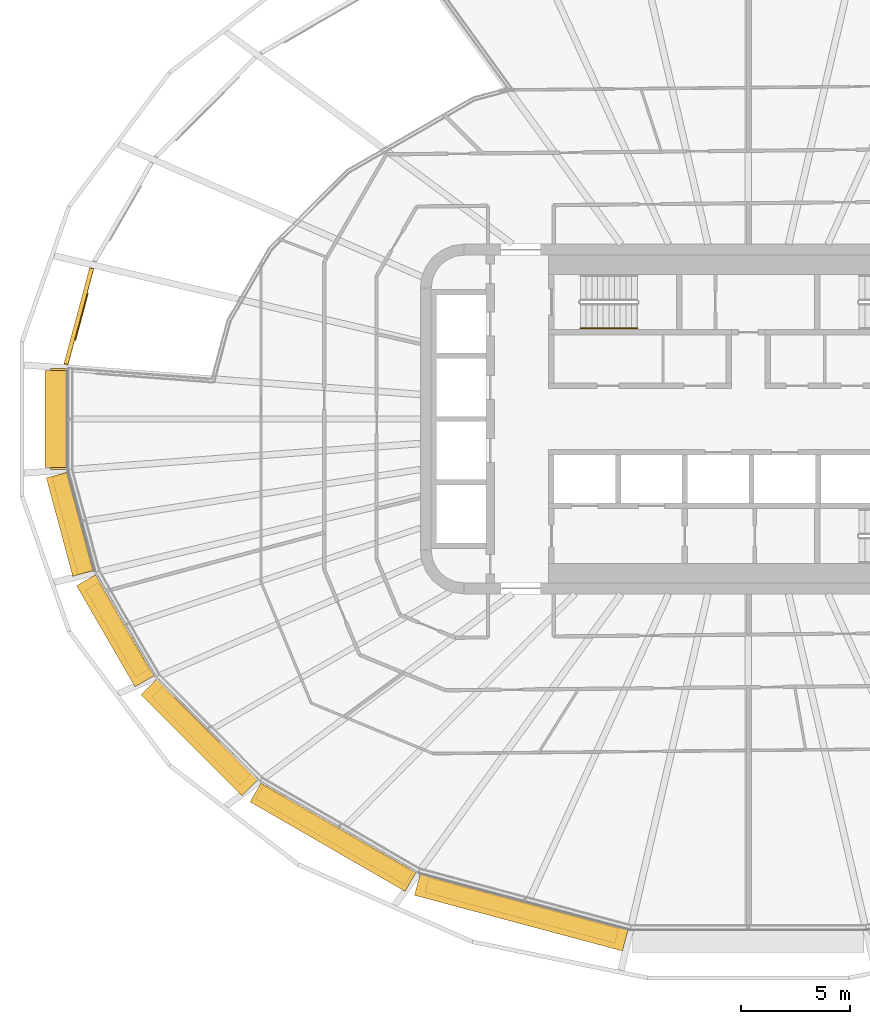
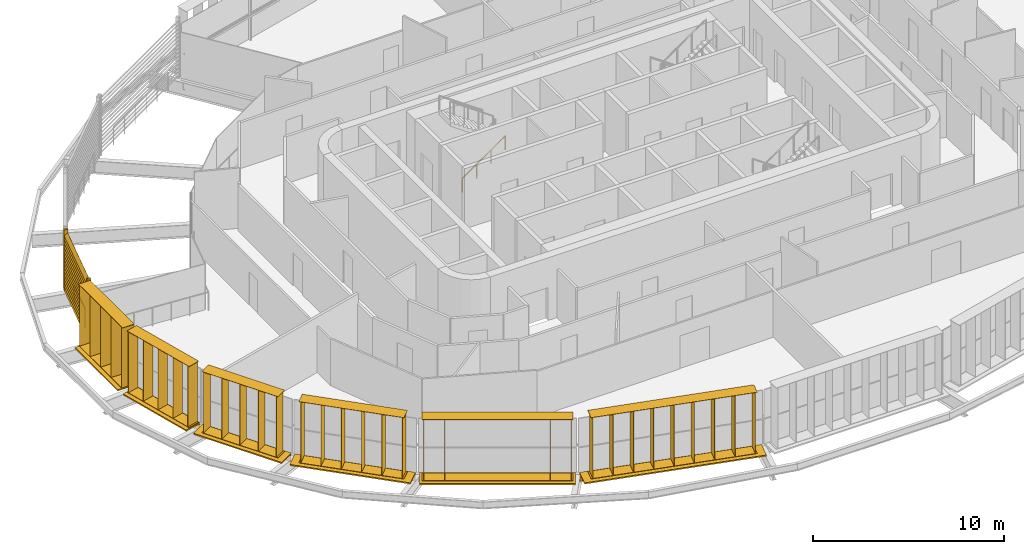
# One storey, part 18 of 23: 13 shading devices, 2 railings.
"""IFC4 building model written with IfcOpenShell, lengths in metres."""

from ifc_helpers import new_model, si_unit, direction, frame, origin, origin_2d, place, context, subcontext, project, spatial, rectangle, circle, extrude, material, type_object, element, save


model = new_model("IFC4")

# Units and contexts
model_context = context("Model", 3, precision=1e-05, world=origin(), true_north=direction((0.0, 1.0)))
body_context = subcontext(model_context, "Body", "Model", "MODEL_VIEW")
ifc_project = project(units=[si_unit("LENGTHUNIT", "METRE"), si_unit("AREAUNIT", "SQUARE_METRE"), si_unit("VOLUMEUNIT", "CUBIC_METRE"), si_unit("PLANEANGLEUNIT", "RADIAN"), si_unit("MASSUNIT", "GRAM", prefix="KILO")], contexts=[model_context])

# Site, building, storey
site_placement = place(None, origin())
site = spatial("IfcSite", under=ifc_project, at=site_placement, CompositionType="ELEMENT")
building_placement = place(site_placement, origin())
building = spatial("IfcBuilding", under=site, at=building_placement, Name="Sahrelin Media Tower", CompositionType="ELEMENT")
storey_placement = place(building_placement, frame((0.0, 0.0, 173.60009765625)))
storey = spatial("IfcBuildingStorey", under=building, at=storey_placement, Name="L36", CompositionType="ELEMENT", Elevation=173.60009765625)

# Shading devices
ifc_material_1 = material(Name="Champagne anodised aluminium 6063-T6", Category="aluminium")
shading_device_type_1 = type_object("IfcShadingDeviceType", Name="Fin cassette", PredefinedType="USERDEFINED", material=ifc_material_1)
placement_1 = place(storey_placement, frame((-31.14892578125, 0.0, 0.0), z_axis=(0.0, 0.0, 1.0), x_axis=(0.0, 1.0, 0.0)))
element("IfcShadingDevice", 1, at=placement_1, inside=storey, type_object=shading_device_type_1, Name="L36:FIN:L36-12", ObjectType="FIN", PredefinedType="USERDEFINED", context=body_context, shape_type="SweptSolid", body=[
    extrude(rectangle(XDim=4.60009765625, YDim=0.699951171875, at=origin_2d()), frame((0.0, 0.419921875, 0.0)), (0.0, 0.0, 1.0), 0.02001953125),
    extrude(rectangle(XDim=4.60009765625, YDim=0.699951171875, at=origin_2d()), frame((0.0, 0.419921875, 3.89990234375)), (0.0, 0.0, 1.0), 0.02001953125),
    extrude(rectangle(XDim=0.02001953125, YDim=0.699951171875, at=origin_2d()), frame((-2.199951171875, 0.419921875, 0.010009765625), z_axis=(0.0, 0.0, 1.0), x_axis=(1.0, 0.0, 0.0)), (0.0, 0.0, 1.0), 3.89990234375),
    extrude(rectangle(XDim=0.02001953125, YDim=0.699951171875, at=origin_2d()), frame((-1.10009765625, 0.419921875, 0.010009765625), z_axis=(0.0, 0.0, 1.0), x_axis=(1.0, 0.0, 0.0)), (0.0, 0.0, 1.0), 3.89990234375),
    extrude(rectangle(XDim=0.02001953125, YDim=0.699951171875, at=origin_2d()), frame((0.0, 0.419921875, 0.010009765625), z_axis=(0.0, 0.0, 1.0), x_axis=(1.0, 0.0, 0.0)), (0.0, 0.0, 1.0), 3.89990234375),
    extrude(rectangle(XDim=0.02001953125, YDim=0.699951171875, at=origin_2d()), frame((1.10009765625, 0.419921875, 0.010009765625), z_axis=(0.0, 0.0, 1.0), x_axis=(1.0, 0.0, 0.0)), (0.0, 0.0, 1.0), 3.89990234375),
    extrude(rectangle(XDim=0.02001953125, YDim=0.699951171875, at=origin_2d()), frame((2.199951171875, 0.419921875, 0.010009765625), z_axis=(0.0, 0.0, 1.0), x_axis=(1.0, 0.0, 0.0)), (0.0, 0.0, 1.0), 3.89990234375),
])
placement_2 = place(storey_placement, frame((-30.51904296875, -4.677978515625, 0.0), z_axis=(0.0, 0.0, 1.0), x_axis=(-0.258807731996, 0.965928857556, 0.0)))
element("IfcShadingDevice", 2, at=placement_2, inside=storey, type_object=shading_device_type_1, Name="L36:FIN:L36-13", ObjectType="FIN", PredefinedType="USERDEFINED", context=body_context, shape_type="SweptSolid", body=[
    extrude(rectangle(XDim=4.60009765625, YDim=0.699951171875, at=origin_2d()), frame((0.0, 0.419921875, 0.0)), (0.0, 0.0, 1.0), 0.02001953125),
    extrude(rectangle(XDim=4.60009765625, YDim=0.699951171875, at=origin_2d()), frame((0.0, 0.419921875, 3.89990234375)), (0.0, 0.0, 1.0), 0.02001953125),
    extrude(rectangle(XDim=0.02001953125, YDim=0.699951171875, at=origin_2d()), frame((-2.199951171875, 0.419921875, 0.010009765625), z_axis=(0.0, 0.0, 1.0), x_axis=(1.0, 0.0, 0.0)), (0.0, 0.0, 1.0), 3.89990234375),
    extrude(rectangle(XDim=0.02001953125, YDim=0.699951171875, at=origin_2d()), frame((-1.10009765625, 0.419921875, 0.010009765625), z_axis=(0.0, 0.0, 1.0), x_axis=(1.0, 0.0, 0.0)), (0.0, 0.0, 1.0), 3.89990234375),
    extrude(rectangle(XDim=0.02001953125, YDim=0.699951171875, at=origin_2d()), frame((0.0, 0.419921875, 0.010009765625), z_axis=(0.0, 0.0, 1.0), x_axis=(1.0, 0.0, 0.0)), (0.0, 0.0, 1.0), 3.89990234375),
    extrude(rectangle(XDim=0.02001953125, YDim=0.699951171875, at=origin_2d()), frame((1.10009765625, 0.419921875, 0.010009765625), z_axis=(0.0, 0.0, 1.0), x_axis=(1.0, 0.0, 0.0)), (0.0, 0.0, 1.0), 3.89990234375),
    extrude(rectangle(XDim=0.02001953125, YDim=0.699951171875, at=origin_2d()), frame((2.199951171875, 0.419921875, 0.010009765625), z_axis=(0.0, 0.0, 1.0), x_axis=(1.0, 0.0, 0.0)), (0.0, 0.0, 1.0), 3.89990234375),
])
placement_3 = place(storey_placement, frame((-28.50439453125, -9.427001953125, 0.0), z_axis=(0.0, 0.0, 1.0), x_axis=(-0.500011000363, 0.866019052629, 0.0)))
element("IfcShadingDevice", 3, at=placement_3, inside=storey, type_object=shading_device_type_1, Name="L36:FIN:L36-14", ObjectType="FIN", PredefinedType="USERDEFINED", context=body_context, shape_type="SweptSolid", body=[
    extrude(rectangle(XDim=4.60009765625, YDim=0.699951171875, at=origin_2d()), frame((0.0, 0.419921875, 0.0)), (0.0, 0.0, 1.0), 0.02001953125),
    extrude(rectangle(XDim=4.60009765625, YDim=0.699951171875, at=origin_2d()), frame((0.0, 0.419921875, 3.89990234375)), (0.0, 0.0, 1.0), 0.02001953125),
    extrude(rectangle(XDim=0.02001953125, YDim=0.699951171875, at=origin_2d()), frame((-2.199951171875, 0.419921875, 0.010009765625), z_axis=(0.0, 0.0, 1.0), x_axis=(1.0, 0.0, 0.0)), (0.0, 0.0, 1.0), 3.89990234375),
    extrude(rectangle(XDim=0.02001953125, YDim=0.699951171875, at=origin_2d()), frame((-1.10009765625, 0.419921875, 0.010009765625), z_axis=(0.0, 0.0, 1.0), x_axis=(1.0, 0.0, 0.0)), (0.0, 0.0, 1.0), 3.89990234375),
    extrude(rectangle(XDim=0.02001953125, YDim=0.699951171875, at=origin_2d()), frame((0.0, 0.419921875, 0.010009765625), z_axis=(0.0, 0.0, 1.0), x_axis=(1.0, 0.0, 0.0)), (0.0, 0.0, 1.0), 3.89990234375),
    extrude(rectangle(XDim=0.02001953125, YDim=0.699951171875, at=origin_2d()), frame((1.10009765625, 0.419921875, 0.010009765625), z_axis=(0.0, 0.0, 1.0), x_axis=(1.0, 0.0, 0.0)), (0.0, 0.0, 1.0), 3.89990234375),
    extrude(rectangle(XDim=0.02001953125, YDim=0.699951171875, at=origin_2d()), frame((2.199951171875, 0.419921875, 0.010009765625), z_axis=(0.0, 0.0, 1.0), x_axis=(1.0, 0.0, 0.0)), (0.0, 0.0, 1.0), 3.89990234375),
])
placement_4 = place(storey_placement, frame((-24.740966796875, -14.2041015625, 0.0), z_axis=(0.0, 0.0, 1.0), x_axis=(-0.707106781187, 0.707106781187, 0.0)))
element("IfcShadingDevice", 4, at=placement_4, inside=storey, type_object=shading_device_type_1, Name="L36:FIN:L36-15", ObjectType="FIN", PredefinedType="USERDEFINED", context=body_context, shape_type="SweptSolid", body=[
    extrude(rectangle(XDim=5.699951171875, YDim=0.699951171875, at=origin_2d()), frame((0.0, 0.419921875, 0.0)), (0.0, 0.0, 1.0), 0.02001953125),
    extrude(rectangle(XDim=5.699951171875, YDim=0.699951171875, at=origin_2d()), frame((0.0, 0.419921875, 3.89990234375)), (0.0, 0.0, 1.0), 0.02001953125),
    extrude(rectangle(XDim=0.02001953125, YDim=0.699951171875, at=origin_2d()), frame((-2.75, 0.419921875, 0.010009765625), z_axis=(0.0, 0.0, 1.0), x_axis=(1.0, 0.0, 0.0)), (0.0, 0.0, 1.0), 3.89990234375),
    extrude(rectangle(XDim=0.02001953125, YDim=0.699951171875, at=origin_2d()), frame((-1.64990234375, 0.419921875, 0.010009765625), z_axis=(0.0, 0.0, 1.0), x_axis=(1.0, 0.0, 0.0)), (0.0, 0.0, 1.0), 3.89990234375),
    extrude(rectangle(XDim=0.02001953125, YDim=0.699951171875, at=origin_2d()), frame((-0.550048828125, 0.419921875, 0.010009765625), z_axis=(0.0, 0.0, 1.0), x_axis=(1.0, 0.0, 0.0)), (0.0, 0.0, 1.0), 3.89990234375),
    extrude(rectangle(XDim=0.02001953125, YDim=0.699951171875, at=origin_2d()), frame((0.550048828125, 0.419921875, 0.010009765625), z_axis=(0.0, 0.0, 1.0), x_axis=(1.0, 0.0, 0.0)), (0.0, 0.0, 1.0), 3.89990234375),
    extrude(rectangle(XDim=0.02001953125, YDim=0.699951171875, at=origin_2d()), frame((1.64990234375, 0.419921875, 0.010009765625), z_axis=(0.0, 0.0, 1.0), x_axis=(1.0, 0.0, 0.0)), (0.0, 0.0, 1.0), 3.89990234375),
    extrude(rectangle(XDim=0.02001953125, YDim=0.699951171875, at=origin_2d()), frame((2.75, 0.419921875, 0.010009765625), z_axis=(0.0, 0.0, 1.0), x_axis=(1.0, 0.0, 0.0)), (0.0, 0.0, 1.0), 3.89990234375),
])
placement_5 = place(storey_placement, frame((-18.73095703125, -18.67919921875, 0.0), z_axis=(0.0, 0.0, 1.0), x_axis=(-0.866019052629, 0.500011000363, 0.0)))
element("IfcShadingDevice", 5, at=placement_5, inside=storey, type_object=shading_device_type_1, Name="L36:FIN:L36-16", ObjectType="FIN", PredefinedType="USERDEFINED", context=body_context, shape_type="SweptSolid", body=[
    extrude(rectangle(XDim=7.89990234375, YDim=0.699951171875, at=origin_2d()), frame((0.0, 0.419921875, 0.0)), (0.0, 0.0, 1.0), 0.02001953125),
    extrude(rectangle(XDim=7.89990234375, YDim=0.699951171875, at=origin_2d()), frame((0.0, 0.419921875, 3.89990234375)), (0.0, 0.0, 1.0), 0.02001953125),
    extrude(rectangle(XDim=0.02001953125, YDim=0.699951171875, at=origin_2d()), frame((-3.85009765625, 0.419921875, 0.010009765625), z_axis=(0.0, 0.0, 1.0), x_axis=(1.0, 0.0, 0.0)), (0.0, 0.0, 1.0), 3.89990234375),
    extrude(rectangle(XDim=0.02001953125, YDim=0.699951171875, at=origin_2d()), frame((-2.75, 0.419921875, 0.010009765625), z_axis=(0.0, 0.0, 1.0), x_axis=(1.0, 0.0, 0.0)), (0.0, 0.0, 1.0), 3.89990234375),
    extrude(rectangle(XDim=0.02001953125, YDim=0.699951171875, at=origin_2d()), frame((-1.64990234375, 0.419921875, 0.010009765625), z_axis=(0.0, 0.0, 1.0), x_axis=(1.0, 0.0, 0.0)), (0.0, 0.0, 1.0), 3.89990234375),
    extrude(rectangle(XDim=0.02001953125, YDim=0.699951171875, at=origin_2d()), frame((-0.550048828125, 0.419921875, 0.010009765625), z_axis=(0.0, 0.0, 1.0), x_axis=(1.0, 0.0, 0.0)), (0.0, 0.0, 1.0), 3.89990234375),
    extrude(rectangle(XDim=0.02001953125, YDim=0.699951171875, at=origin_2d()), frame((0.550048828125, 0.419921875, 0.010009765625), z_axis=(0.0, 0.0, 1.0), x_axis=(1.0, 0.0, 0.0)), (0.0, 0.0, 1.0), 3.89990234375),
    extrude(rectangle(XDim=0.02001953125, YDim=0.699951171875, at=origin_2d()), frame((1.64990234375, 0.419921875, 0.010009765625), z_axis=(0.0, 0.0, 1.0), x_axis=(1.0, 0.0, 0.0)), (0.0, 0.0, 1.0), 3.89990234375),
    extrude(rectangle(XDim=0.02001953125, YDim=0.699951171875, at=origin_2d()), frame((2.75, 0.419921875, 0.010009765625), z_axis=(0.0, 0.0, 1.0), x_axis=(1.0, 0.0, 0.0)), (0.0, 0.0, 1.0), 3.89990234375),
    extrude(rectangle(XDim=0.02001953125, YDim=0.699951171875, at=origin_2d()), frame((3.85009765625, 0.419921875, 0.010009765625), z_axis=(0.0, 0.0, 1.0), x_axis=(1.0, 0.0, 0.0)), (0.0, 0.0, 1.0), 3.89990234375),
])
placement_6 = place(storey_placement, frame((-10.2470703125, -22.076171875, 0.0), z_axis=(0.0, 0.0, 1.0), x_axis=(-0.965928857556, 0.258807731996, 0.0)))
element("IfcShadingDevice", 6, at=placement_6, inside=storey, type_object=shading_device_type_1, Name="L36:FIN:L36-17", ObjectType="FIN", PredefinedType="USERDEFINED", context=body_context, shape_type="SweptSolid", body=[
    extrude(rectangle(XDim=9.0, YDim=0.699951171875, at=origin_2d()), frame((0.0, 0.419921875, 0.0)), (0.0, 0.0, 1.0), 0.02001953125),
    extrude(rectangle(XDim=9.0, YDim=0.699951171875, at=origin_2d()), frame((0.0, 0.419921875, 3.89990234375)), (0.0, 0.0, 1.0), 0.02001953125),
    extrude(rectangle(XDim=0.02001953125, YDim=0.699951171875, at=origin_2d()), frame((-4.39990234375, 0.419921875, 0.010009765625), z_axis=(0.0, 0.0, 1.0), x_axis=(1.0, 0.0, 0.0)), (0.0, 0.0, 1.0), 3.89990234375),
    extrude(rectangle(XDim=0.02001953125, YDim=0.699951171875, at=origin_2d()), frame((-3.300048828125, 0.419921875, 0.010009765625), z_axis=(0.0, 0.0, 1.0), x_axis=(1.0, 0.0, 0.0)), (0.0, 0.0, 1.0), 3.89990234375),
    extrude(rectangle(XDim=0.02001953125, YDim=0.699951171875, at=origin_2d()), frame((-2.199951171875, 0.419921875, 0.010009765625), z_axis=(0.0, 0.0, 1.0), x_axis=(1.0, 0.0, 0.0)), (0.0, 0.0, 1.0), 3.89990234375),
    extrude(rectangle(XDim=0.02001953125, YDim=0.699951171875, at=origin_2d()), frame((-1.10009765625, 0.419921875, 0.010009765625), z_axis=(0.0, 0.0, 1.0), x_axis=(1.0, 0.0, 0.0)), (0.0, 0.0, 1.0), 3.89990234375),
    extrude(rectangle(XDim=0.02001953125, YDim=0.699951171875, at=origin_2d()), frame((0.0, 0.419921875, 0.010009765625), z_axis=(0.0, 0.0, 1.0), x_axis=(1.0, 0.0, 0.0)), (0.0, 0.0, 1.0), 3.89990234375),
    extrude(rectangle(XDim=0.02001953125, YDim=0.699951171875, at=origin_2d()), frame((1.10009765625, 0.419921875, 0.010009765625), z_axis=(0.0, 0.0, 1.0), x_axis=(1.0, 0.0, 0.0)), (0.0, 0.0, 1.0), 3.89990234375),
    extrude(rectangle(XDim=0.02001953125, YDim=0.699951171875, at=origin_2d()), frame((2.199951171875, 0.419921875, 0.010009765625), z_axis=(0.0, 0.0, 1.0), x_axis=(1.0, 0.0, 0.0)), (0.0, 0.0, 1.0), 3.89990234375),
    extrude(rectangle(XDim=0.02001953125, YDim=0.699951171875, at=origin_2d()), frame((3.300048828125, 0.419921875, 0.010009765625), z_axis=(0.0, 0.0, 1.0), x_axis=(1.0, 0.0, 0.0)), (0.0, 0.0, 1.0), 3.89990234375),
    extrude(rectangle(XDim=0.02001953125, YDim=0.699951171875, at=origin_2d()), frame((4.39990234375, 0.419921875, 0.010009765625), z_axis=(0.0, 0.0, 1.0), x_axis=(1.0, 0.0, 0.0)), (0.0, 0.0, 1.0), 3.89990234375),
])
shading_device_type_2 = type_object("IfcShadingDeviceType", Name="Garden screen", PredefinedType="USERDEFINED", material=ifc_material_1)
shading_device_7_placement = place(storey_placement, frame((-30.51904296875, 4.677978515625, 0.0), z_axis=(0.0, 0.0, 1.0), x_axis=(0.258807731996, 0.965928857556, 0.0)))
element("IfcShadingDevice", 7, at=shading_device_7_placement, inside=storey, type_object=shading_device_type_2, Name="L36:SCREEN:L36-11", ObjectType="SCREEN", PredefinedType="USERDEFINED", context=body_context, shape_type="SweptSolid", body=[
    extrude(rectangle(XDim=0.1201171875, YDim=0.199951171875, at=origin_2d()), frame((2.32373046875, 0.10009765625, 0.050048828125), z_axis=(0.0, 0.0, 1.0), x_axis=(1.0, 0.0, 0.0)), (0.0, 0.0, 1.0), 3.89990234375),
    extrude(rectangle(XDim=0.1201171875, YDim=0.199951171875, at=origin_2d()), frame((-2.32373046875, 0.10009765625, 0.050048828125), z_axis=(0.0, 0.0, 1.0), x_axis=(1.0, 0.0, 0.0)), (0.0, 0.0, 1.0), 3.89990234375),
    extrude(rectangle(XDim=0.25, YDim=0.02001953125, at=origin_2d()), frame((2.263671875, 0.10009765625, 0.14990234375), z_axis=(-1.0, 0.0, 0.0), x_axis=(0.0, -0.766044443119, 0.642787609687)), (0.0, 0.0, 1.0), 4.52734375),
    extrude(rectangle(XDim=0.25, YDim=0.02001953125, at=origin_2d()), frame((2.263671875, 0.10009765625, 0.39990234375), z_axis=(-1.0, 0.0, 0.0), x_axis=(0.0, -0.766044443119, 0.642787609687)), (0.0, 0.0, 1.0), 4.52734375),
    extrude(rectangle(XDim=0.25, YDim=0.02001953125, at=origin_2d()), frame((2.263671875, 0.10009765625, 0.64990234375), z_axis=(-1.0, 0.0, 0.0), x_axis=(0.0, -0.766044443119, 0.642787609687)), (0.0, 0.0, 1.0), 4.52734375),
    extrude(rectangle(XDim=0.25, YDim=0.02001953125, at=origin_2d()), frame((2.263671875, 0.10009765625, 0.89990234375), z_axis=(-1.0, 0.0, 0.0), x_axis=(0.0, -0.766044443119, 0.642787609687)), (0.0, 0.0, 1.0), 4.52734375),
    extrude(rectangle(XDim=0.25, YDim=0.02001953125, at=origin_2d()), frame((2.263671875, 0.10009765625, 1.14990234375), z_axis=(-1.0, 0.0, 0.0), x_axis=(0.0, -0.766044443119, 0.642787609687)), (0.0, 0.0, 1.0), 4.52734375),
    extrude(rectangle(XDim=0.25, YDim=0.02001953125, at=origin_2d()), frame((2.263671875, 0.10009765625, 1.39990234375), z_axis=(-1.0, 0.0, 0.0), x_axis=(0.0, -0.766044443119, 0.642787609687)), (0.0, 0.0, 1.0), 4.52734375),
    extrude(rectangle(XDim=0.25, YDim=0.02001953125, at=origin_2d()), frame((2.263671875, 0.10009765625, 1.64990234375), z_axis=(-1.0, 0.0, 0.0), x_axis=(0.0, -0.766044443119, 0.642787609687)), (0.0, 0.0, 1.0), 4.52734375),
    extrude(rectangle(XDim=0.25, YDim=0.02001953125, at=origin_2d()), frame((2.263671875, 0.10009765625, 1.89990234375), z_axis=(-1.0, 0.0, 0.0), x_axis=(0.0, -0.766044443119, 0.642787609687)), (0.0, 0.0, 1.0), 4.52734375),
    extrude(rectangle(XDim=0.25, YDim=0.02001953125, at=origin_2d()), frame((2.263671875, 0.10009765625, 2.14990234375), z_axis=(-1.0, 0.0, 0.0), x_axis=(0.0, -0.766044443119, 0.642787609687)), (0.0, 0.0, 1.0), 4.52734375),
    extrude(rectangle(XDim=0.25, YDim=0.02001953125, at=origin_2d()), frame((2.263671875, 0.10009765625, 2.39990234375), z_axis=(-1.0, 0.0, 0.0), x_axis=(0.0, -0.766044443119, 0.642787609687)), (0.0, 0.0, 1.0), 4.52734375),
    extrude(rectangle(XDim=0.25, YDim=0.02001953125, at=origin_2d()), frame((2.263671875, 0.10009765625, 2.64990234375), z_axis=(-1.0, 0.0, 0.0), x_axis=(0.0, -0.766044443119, 0.642787609687)), (0.0, 0.0, 1.0), 4.52734375),
    extrude(rectangle(XDim=0.25, YDim=0.02001953125, at=origin_2d()), frame((2.263671875, 0.10009765625, 2.89990234375), z_axis=(-1.0, 0.0, 0.0), x_axis=(0.0, -0.766044443119, 0.642787609687)), (0.0, 0.0, 1.0), 4.52734375),
    extrude(rectangle(XDim=0.25, YDim=0.02001953125, at=origin_2d()), frame((2.263671875, 0.10009765625, 3.14990234375), z_axis=(-1.0, 0.0, 0.0), x_axis=(0.0, -0.766044443119, 0.642787609687)), (0.0, 0.0, 1.0), 4.52734375),
    extrude(rectangle(XDim=0.25, YDim=0.02001953125, at=origin_2d()), frame((2.263671875, 0.10009765625, 3.39990234375), z_axis=(-1.0, 0.0, 0.0), x_axis=(0.0, -0.766044443119, 0.642787609687)), (0.0, 0.0, 1.0), 4.52734375),
    extrude(rectangle(XDim=0.25, YDim=0.02001953125, at=origin_2d()), frame((2.263671875, 0.10009765625, 3.64990234375), z_axis=(-1.0, 0.0, 0.0), x_axis=(0.0, -0.766044443119, 0.642787609687)), (0.0, 0.0, 1.0), 4.52734375),
])

# Railings
ifc_material_2 = material(Name="Stainless steel 316", Category="steel")
railing_type_1 = type_object("IfcRailingType", Name="Sky garden guard", PredefinedType="GUARDRAIL", material=ifc_material_2)
railing_1_placement = place(storey_placement, frame((-30.781982421875, 3.609375, 0.0)))
element("IfcRailing", 8, at=railing_1_placement, inside=storey, type_object=railing_type_1, Name="Sky garden void guard G3-2", PredefinedType="GUARDRAIL", context=body_context, shape_type="SweptSolid", body=[
    extrude(circle(Radius=0.02392578125, at=origin_2d()), frame((0.0, 0.0, 1.17578125), z_axis=(0.258802680666, 0.965930210978, 0.0), x_axis=(-0.965930210978, 0.258802680666, 0.0)), (0.0, 0.0, 1.0), 2.198974609375),
    extrude(circle(Radius=0.02099609375, at=origin_2d()), origin(), (0.0, 0.0, 1.0), 1.15185546875),
    extrude(circle(Radius=0.02099609375, at=origin_2d()), frame((0.28466796875, 1.06201171875, 0.0)), (0.0, 0.0, 1.0), 1.15185546875),
    extrude(circle(Radius=0.02099609375, at=origin_2d()), frame((0.569091796875, 2.1240234375, 0.0)), (0.0, 0.0, 1.0), 1.15185546875),
])
ifc_material_3 = material(Name="Steel S355", Category="steel")
railing_type_2 = type_object("IfcRailingType", Name="Stair handrail 900", PredefinedType="HANDRAIL", material=ifc_material_3)
railing_2_placement = place(storey_placement, frame((-7.675048828125, 4.14990234375, 0.181640625)))
element("IfcRailing", 9, at=railing_2_placement, inside=storey, type_object=railing_type_2, Name="L36 ST1 stair handrail 1", PredefinedType="HANDRAIL", context=body_context, shape_type="SweptSolid", body=[
    extrude(circle(Radius=0.02392578125, at=origin_2d()), frame((0.0, 0.0, 0.8759765625), z_axis=(0.819484887739, 0.0, 0.573100792852), x_axis=(0.0, 1.0, 0.0)), (0.0, 0.0, 1.0), 3.1728515625),
    extrude(circle(Radius=0.02099609375, at=origin_2d()), origin(), (0.0, 0.0, 1.0), 0.851806640625),
    extrude(circle(Radius=0.02099609375, at=origin_2d()), frame((0.86669921875, 0.0, 0.606201171875)), (0.0, 0.0, 1.0), 0.851806640625),
    extrude(circle(Radius=0.02099609375, at=origin_2d()), frame((1.7333984375, 0.0, 1.212158203125)), (0.0, 0.0, 1.0), 0.851806640625),
    extrude(circle(Radius=0.02099609375, at=origin_2d()), frame((2.60009765625, 0.0, 1.818359375)), (0.0, 0.0, 1.0), 0.851806640625),
])

# Shading devices
shading_device_type_3 = type_object("IfcShadingDeviceType", Name="Sunshade band", PredefinedType="USERDEFINED", material=ifc_material_1)
element("IfcShadingDevice", 10, at=placement_1, inside=storey, type_object=shading_device_type_3, Name="L36:SUN:L36-12", ObjectType="SUNSHADE", PredefinedType="USERDEFINED", context=body_context, shape_type="SweptSolid", body=[
    extrude(rectangle(XDim=4.4541015625, YDim=0.050048828125, at=origin_2d()), frame((0.0, 0.044921875, -0.55126953125)), (0.0, 0.0, 1.0), 0.471435546875),
    extrude(rectangle(XDim=4.4541015625, YDim=1.0, at=origin_2d()), frame((0.0, 0.52001953125, -0.080078125)), (0.0, 0.0, 1.0), 0.080078125),
    extrude(rectangle(XDim=0.10009765625, YDim=0.074951171875, at=origin_2d()), frame((-2.127197265625, -0.017578125, -0.47021484375)), (0.0, 0.0, 1.0), 0.300048828125),
    extrude(rectangle(XDim=0.10009765625, YDim=0.074951171875, at=origin_2d()), frame((-0.708984375, -0.017578125, -0.47021484375)), (0.0, 0.0, 1.0), 0.300048828125),
    extrude(rectangle(XDim=0.10009765625, YDim=0.074951171875, at=origin_2d()), frame((0.708984375, -0.017578125, -0.47021484375)), (0.0, 0.0, 1.0), 0.300048828125),
    extrude(rectangle(XDim=0.10009765625, YDim=0.074951171875, at=origin_2d()), frame((2.127197265625, -0.017578125, -0.47021484375)), (0.0, 0.0, 1.0), 0.300048828125),
])
element("IfcShadingDevice", 11, at=placement_2, inside=storey, type_object=shading_device_type_3, Name="L36:SUN:L36-13", ObjectType="SUNSHADE", PredefinedType="USERDEFINED", context=body_context, shape_type="SweptSolid", body=[
    extrude(rectangle(XDim=4.66748046875, YDim=0.050048828125, at=origin_2d()), frame((0.0, 0.044921875, -0.55126953125)), (0.0, 0.0, 1.0), 0.471435546875),
    extrude(rectangle(XDim=4.66748046875, YDim=1.0, at=origin_2d()), frame((0.0, 0.52001953125, -0.080078125)), (0.0, 0.0, 1.0), 0.080078125),
    extrude(rectangle(XDim=0.10009765625, YDim=0.074951171875, at=origin_2d()), frame((-2.233642578125, -0.017578125, -0.47021484375)), (0.0, 0.0, 1.0), 0.300048828125),
    extrude(rectangle(XDim=0.10009765625, YDim=0.074951171875, at=origin_2d()), frame((-0.74462890625, -0.017578125, -0.47021484375)), (0.0, 0.0, 1.0), 0.300048828125),
    extrude(rectangle(XDim=0.10009765625, YDim=0.074951171875, at=origin_2d()), frame((0.74462890625, -0.017578125, -0.47021484375)), (0.0, 0.0, 1.0), 0.300048828125),
    extrude(rectangle(XDim=0.10009765625, YDim=0.074951171875, at=origin_2d()), frame((2.233642578125, -0.017578125, -0.47021484375)), (0.0, 0.0, 1.0), 0.300048828125),
])
element("IfcShadingDevice", 12, at=placement_3, inside=storey, type_object=shading_device_type_3, Name="L36:SUN:L36-14", ObjectType="SUNSHADE", PredefinedType="USERDEFINED", context=body_context, shape_type="SweptSolid", body=[
    extrude(rectangle(XDim=5.33837890625, YDim=0.050048828125, at=origin_2d()), frame((0.0, 0.044921875, -0.55126953125)), (0.0, 0.0, 1.0), 0.471435546875),
    extrude(rectangle(XDim=5.33837890625, YDim=1.0, at=origin_2d()), frame((0.0, 0.52001953125, -0.080078125)), (0.0, 0.0, 1.0), 0.080078125),
    extrude(rectangle(XDim=0.10009765625, YDim=0.074951171875, at=origin_2d()), frame((-2.569091796875, -0.017578125, -0.47021484375)), (0.0, 0.0, 1.0), 0.300048828125),
    extrude(rectangle(XDim=0.10009765625, YDim=0.074951171875, at=origin_2d()), frame((-0.8564453125, -0.017578125, -0.47021484375)), (0.0, 0.0, 1.0), 0.300048828125),
    extrude(rectangle(XDim=0.10009765625, YDim=0.074951171875, at=origin_2d()), frame((0.8564453125, -0.017578125, -0.47021484375)), (0.0, 0.0, 1.0), 0.300048828125),
    extrude(rectangle(XDim=0.10009765625, YDim=0.074951171875, at=origin_2d()), frame((2.569091796875, -0.017578125, -0.47021484375)), (0.0, 0.0, 1.0), 0.300048828125),
])
element("IfcShadingDevice", 13, at=placement_4, inside=storey, type_object=shading_device_type_3, Name="L36:SUN:L36-15", ObjectType="SUNSHADE", PredefinedType="USERDEFINED", context=body_context, shape_type="SweptSolid", body=[
    extrude(rectangle(XDim=6.528564453125, YDim=0.050048828125, at=origin_2d()), frame((0.0, 0.044921875, -0.55126953125)), (0.0, 0.0, 1.0), 0.471435546875),
    extrude(rectangle(XDim=6.528564453125, YDim=1.0, at=origin_2d()), frame((0.0, 0.52001953125, -0.080078125)), (0.0, 0.0, 1.0), 0.080078125),
    extrude(rectangle(XDim=0.10009765625, YDim=0.074951171875, at=origin_2d()), frame((-3.164306640625, -0.017578125, -0.47021484375)), (0.0, 0.0, 1.0), 0.300048828125),
    extrude(rectangle(XDim=0.10009765625, YDim=0.074951171875, at=origin_2d()), frame((-1.58203125, -0.017578125, -0.47021484375)), (0.0, 0.0, 1.0), 0.300048828125),
    extrude(rectangle(XDim=0.10009765625, YDim=0.074951171875, at=origin_2d()), frame((0.0, -0.017578125, -0.47021484375)), (0.0, 0.0, 1.0), 0.300048828125),
    extrude(rectangle(XDim=0.10009765625, YDim=0.074951171875, at=origin_2d()), frame((1.58203125, -0.017578125, -0.47021484375)), (0.0, 0.0, 1.0), 0.300048828125),
    extrude(rectangle(XDim=0.10009765625, YDim=0.074951171875, at=origin_2d()), frame((3.164306640625, -0.017578125, -0.47021484375)), (0.0, 0.0, 1.0), 0.300048828125),
])
element("IfcShadingDevice", 14, at=placement_5, inside=storey, type_object=shading_device_type_3, Name="L36:SUN:L36-16", ObjectType="SUNSHADE", PredefinedType="USERDEFINED", context=body_context, shape_type="SweptSolid", body=[
    extrude(rectangle(XDim=8.185546875, YDim=0.050048828125, at=origin_2d()), frame((0.0, 0.044921875, -0.55126953125)), (0.0, 0.0, 1.0), 0.471435546875),
    extrude(rectangle(XDim=8.185546875, YDim=1.0, at=origin_2d()), frame((0.0, 0.52001953125, -0.080078125)), (0.0, 0.0, 1.0), 0.080078125),
    extrude(rectangle(XDim=0.10009765625, YDim=0.074951171875, at=origin_2d()), frame((-3.992919921875, -0.017578125, -0.47021484375)), (0.0, 0.0, 1.0), 0.300048828125),
    extrude(rectangle(XDim=0.10009765625, YDim=0.074951171875, at=origin_2d()), frame((-2.395751953125, -0.017578125, -0.47021484375)), (0.0, 0.0, 1.0), 0.300048828125),
    extrude(rectangle(XDim=0.10009765625, YDim=0.074951171875, at=origin_2d()), frame((-0.798583984375, -0.017578125, -0.47021484375)), (0.0, 0.0, 1.0), 0.300048828125),
    extrude(rectangle(XDim=0.10009765625, YDim=0.074951171875, at=origin_2d()), frame((0.798583984375, -0.017578125, -0.47021484375)), (0.0, 0.0, 1.0), 0.300048828125),
    extrude(rectangle(XDim=0.10009765625, YDim=0.074951171875, at=origin_2d()), frame((2.395751953125, -0.017578125, -0.47021484375)), (0.0, 0.0, 1.0), 0.300048828125),
    extrude(rectangle(XDim=0.10009765625, YDim=0.074951171875, at=origin_2d()), frame((3.992919921875, -0.017578125, -0.47021484375)), (0.0, 0.0, 1.0), 0.300048828125),
])
element("IfcShadingDevice", 15, at=placement_6, inside=storey, type_object=shading_device_type_3, Name="L36:SUN:L36-17", ObjectType="SUNSHADE", PredefinedType="USERDEFINED", context=body_context, shape_type="SweptSolid", body=[
    extrude(rectangle(XDim=9.848388671875, YDim=0.050048828125, at=origin_2d()), frame((0.0, 0.044921875, -0.55126953125)), (0.0, 0.0, 1.0), 0.471435546875),
    extrude(rectangle(XDim=9.848388671875, YDim=1.0, at=origin_2d()), frame((0.0, 0.52001953125, -0.080078125)), (0.0, 0.0, 1.0), 0.080078125),
    extrude(rectangle(XDim=0.10009765625, YDim=0.074951171875, at=origin_2d()), frame((-4.82421875, -0.017578125, -0.47021484375)), (0.0, 0.0, 1.0), 0.300048828125),
    extrude(rectangle(XDim=0.10009765625, YDim=0.074951171875, at=origin_2d()), frame((-2.89453125, -0.017578125, -0.47021484375)), (0.0, 0.0, 1.0), 0.300048828125),
    extrude(rectangle(XDim=0.10009765625, YDim=0.074951171875, at=origin_2d()), frame((-0.96484375, -0.017578125, -0.47021484375)), (0.0, 0.0, 1.0), 0.300048828125),
    extrude(rectangle(XDim=0.10009765625, YDim=0.074951171875, at=origin_2d()), frame((0.96484375, -0.017578125, -0.47021484375)), (0.0, 0.0, 1.0), 0.300048828125),
    extrude(rectangle(XDim=0.10009765625, YDim=0.074951171875, at=origin_2d()), frame((2.89453125, -0.017578125, -0.47021484375)), (0.0, 0.0, 1.0), 0.300048828125),
    extrude(rectangle(XDim=0.10009765625, YDim=0.074951171875, at=origin_2d()), frame((4.82421875, -0.017578125, -0.47021484375)), (0.0, 0.0, 1.0), 0.300048828125),
])

save(model, "model.ifc")
